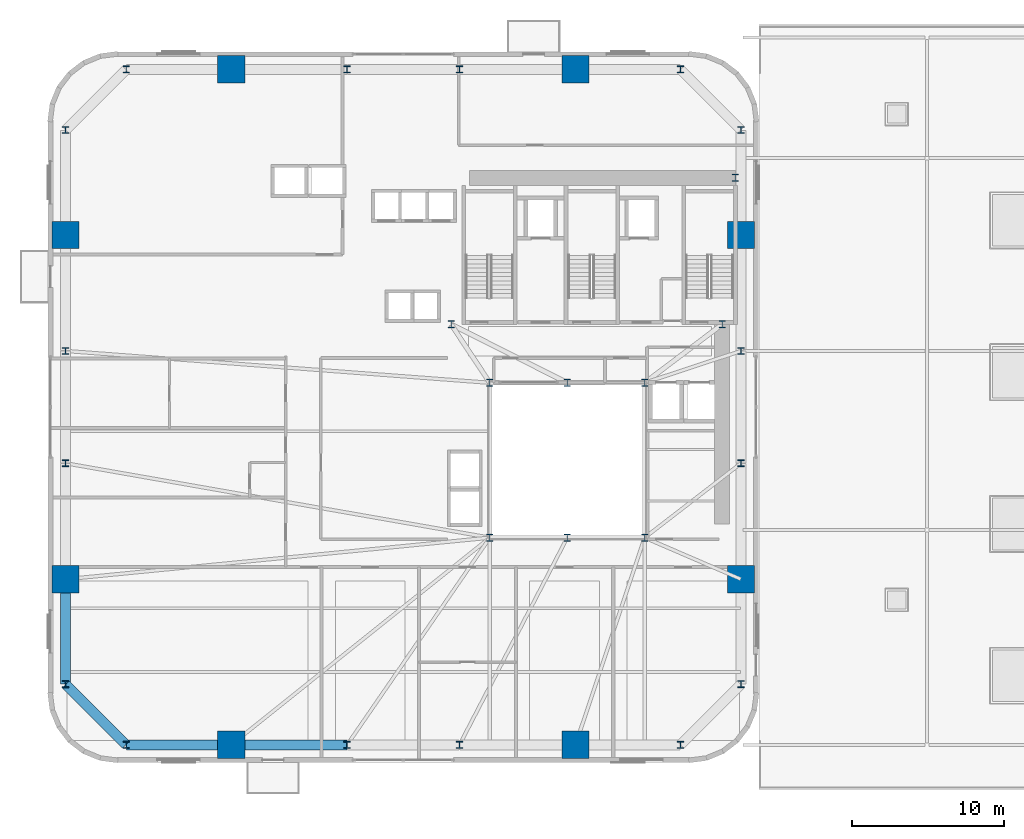
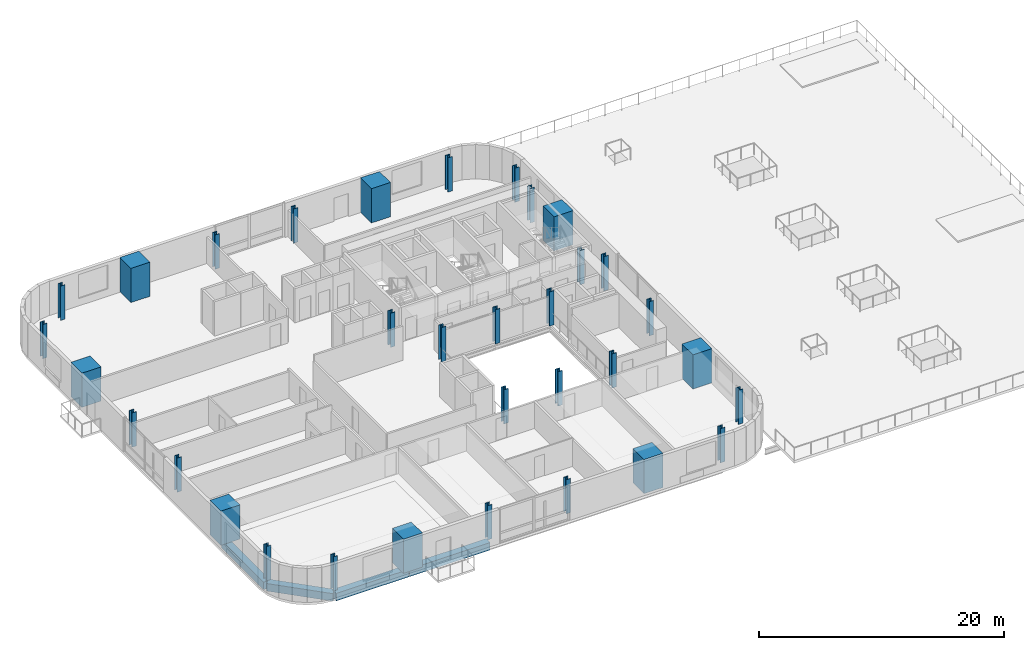
# One storey, part 1 of 18: 33 columns, 4 beams.
"""IFC4 building model written with IfcOpenShell, lengths in metres."""

from ifc_helpers import new_model, si_unit, direction, frame, origin, origin_2d, place, context, subcontext, project, spatial, rectangle, i_section, extrude, source, transform, mapped, material, material_profile, profile_set, type_object, element, save


model = new_model("IFC4")

# Units and contexts
model_context = context("Model", 3, precision=1e-05, world=origin(), true_north=direction((0.0, 1.0)))
body_context = subcontext(model_context, "Body", "Model", "MODEL_VIEW")
ifc_project = project(units=[si_unit("LENGTHUNIT", "METRE"), si_unit("AREAUNIT", "SQUARE_METRE"), si_unit("VOLUMEUNIT", "CUBIC_METRE"), si_unit("PLANEANGLEUNIT", "RADIAN"), si_unit("MASSUNIT", "GRAM", prefix="KILO")], contexts=[model_context])

# Site, building, storey
site_placement = place(None, origin())
site = spatial("IfcSite", under=ifc_project, at=site_placement, CompositionType="ELEMENT")
building_placement = place(site_placement, origin())
building = spatial("IfcBuilding", under=site, at=building_placement, Name="Vardaveli Station Tower", CompositionType="ELEMENT")
storey_placement = place(building_placement, frame((0.0, 0.0, 27.60009765625)))
storey = spatial("IfcBuildingStorey", under=building, at=storey_placement, Name="L06", CompositionType="ELEMENT", Elevation=27.60009765625)

# Columns
ifc_material_1 = material(Name="Structural steel S460M", Category="steel")
ifc_material_profile_1 = material_profile(ifc_material_1, i_section(OverallWidth=0.427978515625, OverallDepth=0.48095703125, WebThickness=0.03955078125, FlangeThickness=0.0634765625, FilletRadius=0.014892578125, at=origin_2d()), Name="HD 400x677")
ifc_profile_set_1 = profile_set([ifc_material_profile_1], Name="Structural steel S460M")
column_type_1 = type_object("IfcColumnType", Name="COL-HD677", PredefinedType="COLUMN", material=ifc_profile_set_1)
shared_shape_1 = source(origin(), body_context, "Body", "SweptSolid", [
    extrude(i_section(OverallWidth=0.427978515625, OverallDepth=0.48095703125, WebThickness=0.03955078125, FlangeThickness=0.0634765625, FilletRadius=0.014892578125, at=origin_2d()), origin(), (0.0, 0.0, 1.0), 3.409912109375),
])
for number, where, z_axis, x_axis, name in (
    (1, (31.199951171875, 16.60009765625, 0.0), (0.0, 0.0, 1.0), (1.0, 0.0, 0.0), "COL-L06-AC1"),
    (2, (36.300048828125, 16.60009765625, 0.0), (0.0, 0.0, 1.0), (1.0, 0.0, 0.0), "COL-L06-AC2"),
    (3, (41.39990234375, 16.60009765625, 0.0), (0.0, 0.0, 1.0), (1.0, 0.0, 0.0), "COL-L06-AC3"),
    (4, (41.39990234375, 26.800048828125, 0.0), (0.0, 0.0, 1.0), (1.0, 0.0, 0.0), "COL-L06-AC4"),
    (5, (36.300048828125, 26.800048828125, 0.0), (0.0, 0.0, 1.0), (1.0, 0.0, 0.0), "COL-L06-AC5"),
    (6, (31.199951171875, 26.800048828125, 0.0), (0.0, 0.0, 1.0), (1.0, 0.0, 0.0), "COL-L06-AC6"),
    (7, (28.64990234375, 30.64990234375, 0.0), (0.0, 0.0, 1.0), (1.0, 0.0, 0.0), "COL-L06-CC1"),
    (8, (46.5, 30.64990234375, 0.0), (0.0, 0.0, 1.0), (1.0, 0.0, 0.0), "COL-L06-CC2"),
    (9, (47.3701171875, 40.300048828125, 0.0), (0.0, 0.0, 1.0), (1.0, 0.0, 0.0), "COL-L06-CC3"),
):
    element("IfcColumn", number, at=place(storey_placement, frame(where, z_axis=z_axis, x_axis=x_axis)), inside=storey, type_object=column_type_1, Name=name, PredefinedType="COLUMN", context=body_context, shape_type="MappedRepresentation", body=[
        mapped(shared_shape_1, transform((0.0, 0.0, 0.0), scale=1.0)),
    ])
ifc_material_2 = material(Name="Concrete C70/85", Category="concrete")
ifc_material_profile_2 = material_profile(ifc_material_2, rectangle(XDim=1.800048828125, YDim=1.800048828125, at=origin_2d()), Name="MC 1800x1800")
ifc_profile_set_2 = profile_set([ifc_material_profile_2], Name="Concrete C70/85")
column_type_2 = type_object("IfcColumnType", Name="COL-MC-1800", PredefinedType="COLUMN", material=ifc_profile_set_2)
shared_shape_2 = source(origin(), body_context, "Body", "SweptSolid", [
    extrude(rectangle(XDim=1.800048828125, YDim=1.800048828125, at=origin_2d()), origin(), (0.0, 0.0, 1.0), 3.409912109375),
])
for number, where, z_axis, x_axis, name in (
    (10, (14.159912109375, 2.949951171875, 0.0), (0.0, 0.0, 1.0), (1.0, 0.0, 0.0), "COL-L06-MC1"),
    (11, (36.840087890625, 2.949951171875, 0.0), (0.0, 0.0, 1.0), (1.0, 0.0, 0.0), "COL-L06-MC2"),
    (12, (47.75, 13.860107421875, 0.0), (0.0, 0.0, 1.0), (1.0, 0.0, 0.0), "COL-L06-MC3"),
    (13, (47.75, 36.5400390625, 0.0), (0.0, 0.0, 1.0), (1.0, 0.0, 0.0), "COL-L06-MC4"),
    (14, (36.840087890625, 47.449951171875, 0.0), (0.0, 0.0, 1.0), (1.0, 0.0, 0.0), "COL-L06-MC5"),
    (15, (14.159912109375, 47.449951171875, 0.0), (0.0, 0.0, 1.0), (1.0, 0.0, 0.0), "COL-L06-MC6"),
    (16, (3.25, 36.5400390625, 0.0), (0.0, 0.0, 1.0), (1.0, 0.0, 0.0), "COL-L06-MC7"),
    (17, (3.25, 13.860107421875, 0.0), (0.0, 0.0, 1.0), (1.0, 0.0, 0.0), "COL-L06-MC8"),
):
    element("IfcColumn", number, at=place(storey_placement, frame(where, z_axis=z_axis, x_axis=x_axis)), inside=storey, type_object=column_type_2, Name=name, PredefinedType="COLUMN", context=body_context, shape_type="MappedRepresentation", body=[
        mapped(shared_shape_2, transform((0.0, 0.0, 0.0), scale=1.0)),
    ])
ifc_material_profile_3 = material_profile(ifc_material_1, i_section(OverallWidth=0.4189453125, OverallDepth=0.448974609375, WebThickness=0.030517578125, FlangeThickness=0.04833984375, FilletRadius=0.014892578125, at=origin_2d()), Name="HD 400x509")
ifc_profile_set_3 = profile_set([ifc_material_profile_3], Name="Structural steel S460M")
column_type_3 = type_object("IfcColumnType", Name="COL-HD509", PredefinedType="COLUMN", material=ifc_profile_set_3)
shared_shape_3 = source(origin(), body_context, "Body", "SweptSolid", [
    extrude(i_section(OverallWidth=0.4189453125, OverallDepth=0.448974609375, WebThickness=0.030517578125, FlangeThickness=0.04833984375, FilletRadius=0.014892578125, at=origin_2d()), origin(), (0.0, 0.0, 1.0), 3.409912109375),
])
for number, where, z_axis, x_axis, name in (
    (18, (7.25, 2.949951171875, 0.0), (0.0, 0.0, 1.0), (1.0, 0.0, 0.0), "COL-L06-PC01"),
    (19, (21.800048828125, 2.949951171875, 0.0), (0.0, 0.0, 1.0), (1.0, 0.0, 0.0), "COL-L06-PC02"),
    (20, (29.199951171875, 2.949951171875, 0.0), (0.0, 0.0, 1.0), (1.0, 0.0, 0.0), "COL-L06-PC03"),
    (21, (43.75, 2.949951171875, 0.0), (0.0, 0.0, 1.0), (1.0, 0.0, 0.0), "COL-L06-PC04"),
    (22, (47.75, 6.949951171875, 0.0), (0.0, 0.0, 1.0), (1.0, 0.0, 0.0), "COL-L06-PC05"),
    (23, (47.75, 21.5, 0.0), (0.0, 0.0, 1.0), (1.0, 0.0, 0.0), "COL-L06-PC06"),
    (24, (47.75, 28.89990234375, 0.0), (0.0, 0.0, 1.0), (1.0, 0.0, 0.0), "COL-L06-PC07"),
    (25, (47.75, 43.449951171875, 0.0), (0.0, 0.0, 1.0), (1.0, 0.0, 0.0), "COL-L06-PC08"),
    (26, (43.75, 47.449951171875, 0.0), (0.0, 0.0, 1.0), (1.0, 0.0, 0.0), "COL-L06-PC09"),
    (27, (29.199951171875, 47.449951171875, 0.0), (0.0, 0.0, 1.0), (1.0, 0.0, 0.0), "COL-L06-PC10"),
    (28, (21.800048828125, 47.449951171875, 0.0), (0.0, 0.0, 1.0), (1.0, 0.0, 0.0), "COL-L06-PC11"),
    (29, (7.25, 47.449951171875, 0.0), (0.0, 0.0, 1.0), (1.0, 0.0, 0.0), "COL-L06-PC12"),
    (30, (3.25, 43.449951171875, 0.0), (0.0, 0.0, 1.0), (1.0, 0.0, 0.0), "COL-L06-PC13"),
    (31, (3.25, 28.89990234375, 0.0), (0.0, 0.0, 1.0), (1.0, 0.0, 0.0), "COL-L06-PC14"),
    (32, (3.25, 21.5, 0.0), (0.0, 0.0, 1.0), (1.0, 0.0, 0.0), "COL-L06-PC15"),
    (33, (3.25, 6.949951171875, 0.0), (0.0, 0.0, 1.0), (1.0, 0.0, 0.0), "COL-L06-PC16"),
):
    element("IfcColumn", number, at=place(storey_placement, frame(where, z_axis=z_axis, x_axis=x_axis)), inside=storey, type_object=column_type_3, Name=name, PredefinedType="COLUMN", context=body_context, shape_type="MappedRepresentation", body=[
        mapped(shared_shape_3, transform((0.0, 0.0, 0.0), scale=1.0)),
    ])

# Beams
ifc_material_3 = material(Name="Precast concrete C45/55", Category="concrete")
ifc_material_profile_4 = material_profile(ifc_material_3, rectangle(XDim=0.64990234375, YDim=0.75, at=origin_2d()), Name="LPB 650x750")
ifc_profile_set_4 = profile_set([ifc_material_profile_4], Name="Precast concrete C45/55")
beam_type = type_object("IfcBeamType", Name="BM-LPB-750", PredefinedType="BEAM", material=ifc_profile_set_4)
shared_shape_4 = source(origin(), body_context, "Body", "SweptSolid", [
    extrude(rectangle(XDim=0.64990234375, YDim=0.75, at=origin_2d()), origin(), (0.0, 0.0, 1.0), 7.60009765625),
])
beam_1_placement = place(storey_placement, frame((14.179931640625, 2.949951171875, -0.614990234375), z_axis=(1.0, 0.0, 0.0), x_axis=(0.0, 1.0, 0.0)))
element("IfcBeam", 34, at=beam_1_placement, inside=storey, type_object=beam_type, Name="RBM-L06-01", PredefinedType="BEAM", context=body_context, shape_type="MappedRepresentation", body=[
    mapped(shared_shape_4, transform((0.0, 0.0, 0.0), scale=1.0)),
])
shared_shape_5 = source(origin(), body_context, "Body", "SweptSolid", [
    extrude(rectangle(XDim=0.64990234375, YDim=0.75, at=origin_2d()), origin(), (0.0, 0.0, 1.0), 6.869873046875),
])
beam_2_placement = place(storey_placement, frame((7.27001953125, 2.949951171875, -0.614990234375), z_axis=(1.0, 0.0, 0.0), x_axis=(0.0, 1.0, 0.0)))
element("IfcBeam", 35, at=beam_2_placement, inside=storey, type_object=beam_type, Name="RBM-L06-24", PredefinedType="BEAM", context=body_context, shape_type="MappedRepresentation", body=[
    mapped(shared_shape_5, transform((0.0, 0.0, 0.0), scale=1.0)),
])
shared_shape_6 = source(origin(), body_context, "Body", "SweptSolid", [
    extrude(rectangle(XDim=0.64990234375, YDim=0.75, at=origin_2d()), origin(), (0.0, 0.0, 1.0), 5.61669921875),
])
beam_3_placement = place(storey_placement, frame((3.26416015625, 6.935791015625, -0.614990234375), z_axis=(0.707106781187, -0.707106781187, 0.0), x_axis=(0.707106781187, 0.707106781187, 0.0)))
element("IfcBeam", 36, at=beam_3_placement, inside=storey, type_object=beam_type, Name="RBM-L06-23", PredefinedType="BEAM", context=body_context, shape_type="MappedRepresentation", body=[
    mapped(shared_shape_6, transform((0.0, 0.0, 0.0), scale=1.0)),
])
shared_shape_7 = source(origin(), body_context, "Body", "SweptSolid", [
    extrude(rectangle(XDim=0.64990234375, YDim=0.75, at=origin_2d()), origin(), (0.0, 0.0, 1.0), 6.8701171875),
])
beam_4_placement = place(storey_placement, frame((3.25, 13.840087890625, -0.614990234375), z_axis=(0.0, -1.0, 0.0), x_axis=(1.0, 0.0, 0.0)))
element("IfcBeam", 37, at=beam_4_placement, inside=storey, type_object=beam_type, Name="RBM-L06-22", PredefinedType="BEAM", context=body_context, shape_type="MappedRepresentation", body=[
    mapped(shared_shape_7, transform((0.0, 0.0, 0.0), scale=1.0)),
])

save(model, "model.ifc")
